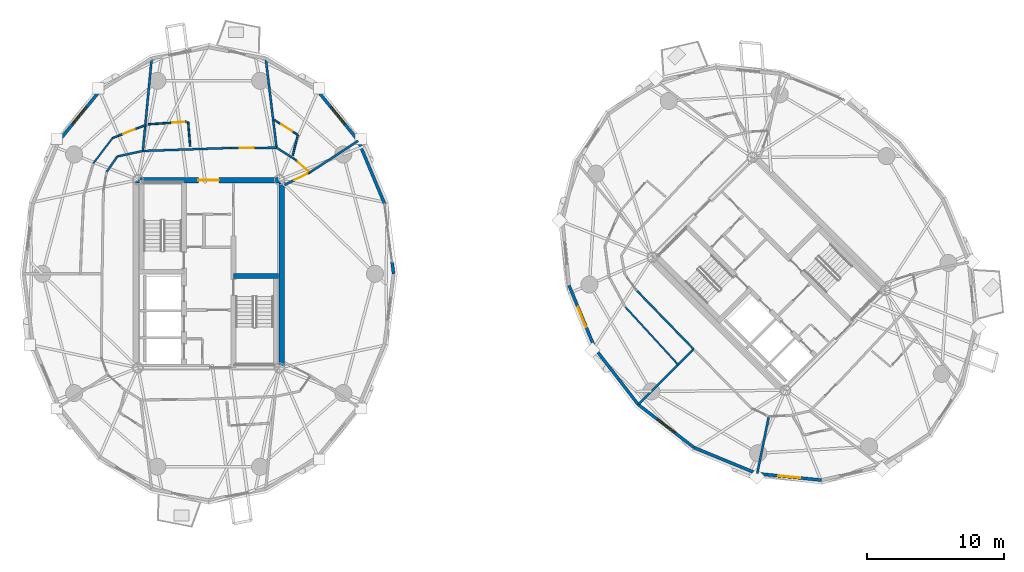
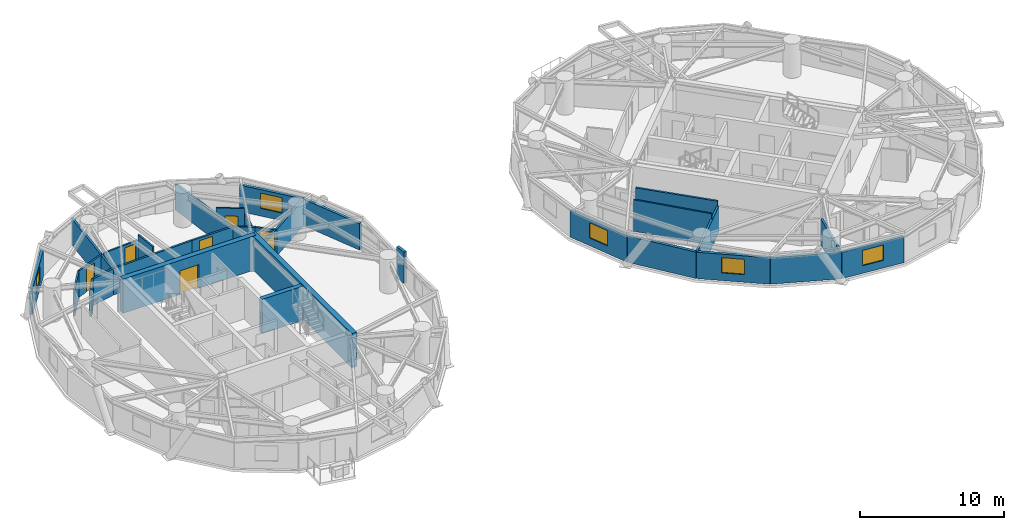
# One storey, part 12 of 19: 32 walls, 7 doors, 5 windows, 12 openings.
"""IFC4 building model written with IfcOpenShell, lengths in metres."""

from ifc_helpers import new_model, si_unit, direction, frame, frame_2d, origin, place, context, subcontext, project, spatial, rectangle, extrude, source, transform, mapped, material, layer, layer_set, type_object, element, fill, save


model = new_model("IFC4")

# Units and contexts
model_context = context("Model", 3, precision=1e-05, world=origin(), true_north=direction((0.0, 1.0)))
body_context = subcontext(model_context, "Body", "Model", "MODEL_VIEW")
ifc_project = project(units=[si_unit("LENGTHUNIT", "METRE"), si_unit("AREAUNIT", "SQUARE_METRE"), si_unit("VOLUMEUNIT", "CUBIC_METRE"), si_unit("PLANEANGLEUNIT", "RADIAN"), si_unit("MASSUNIT", "GRAM", prefix="KILO")], contexts=[model_context])

# Site, building, storey
site_placement = place(None, origin())
site = spatial("IfcSite", under=ifc_project, at=site_placement, CompositionType="ELEMENT")
building_placement = place(site_placement, origin())
building = spatial("IfcBuilding", under=site, at=building_placement, Name="Cununo Teusaquillo Station Towers", CompositionType="ELEMENT")
storey_placement = place(building_placement, frame((0.0, 0.0, 177.7900390625)))
storey = spatial("IfcBuildingStorey", under=building, at=storey_placement, Name="L56", CompositionType="ELEMENT", Elevation=177.7900390625)

# Walls
ifc_material_1 = material(Name="Concrete C50/60", Category="concrete")
ifc_layer_1 = layer(ifc_material_1, 0.35009765625)
ifc_layer_set_1 = layer_set([ifc_layer_1], Name="Concrete C50/60")
wall_type_1 = type_object("IfcWallType", Name="WL-CORE-350", PredefinedType="SHEAR", material=ifc_layer_set_1)
wall_1_placement = place(storey_placement, frame((18.31494140625, 24.344970703125, 0.0), z_axis=(0.0, 0.0, 1.0), x_axis=(1.0, 0.0, 0.0)))
element("IfcWall", 1, at=wall_1_placement, inside=storey, type_object=wall_type_1, Name="L56 Tower A Core Shear Wall ST2N", PredefinedType="SHEAR", context=body_context, shape_type="SweptSolid", body=[
    extrude(rectangle(XDim=3.28515625, YDim=0.35009765625, at=frame_2d((1.642578125, 0.0))), origin(), (0.0, 0.0, 1.0), 2.909912109375),
])
ifc_material_2 = material(Name="Concrete C50/60", Category="concrete")
ifc_layer_2 = layer(ifc_material_2, 0.39990234375)
ifc_layer_set_2 = layer_set([ifc_layer_2], Name="Concrete C50/60")
wall_type_2 = type_object("IfcWallType", Name="WL-CORE-400", PredefinedType="SHEAR", material=ifc_layer_set_2)
wall_2_placement = place(storey_placement, frame((21.85009765625, 17.449951171875, 0.0), z_axis=(0.0, 0.0, 1.0), x_axis=(0.0, 1.0, 0.0)))
element("IfcWall", 2, at=wall_2_placement, inside=storey, type_object=wall_type_2, Name="L56 Tower A Core Shear Wall E", PredefinedType="SHEAR", context=body_context, shape_type="SweptSolid", body=[
    extrude(rectangle(XDim=14.10009765625, YDim=0.39990234375, at=frame_2d((7.050048828125, 0.0))), origin(), (0.0, 0.0, 1.0), 2.909912109375),
])

# Wall, opening, door
wall_3_placement = place(storey_placement, frame((11.14990234375, 31.35009765625, 0.0), z_axis=(0.0, 0.0, 1.0), x_axis=(1.0, 0.0, 0.0)))
wall_3 = element("IfcWall", 3, at=wall_3_placement, inside=storey, type_object=wall_type_2, Name="L56 Tower A Core Shear Wall N", PredefinedType="SHEAR", context=body_context, shape_type="SweptSolid", body=[
    extrude(rectangle(XDim=10.7001953125, YDim=0.39990234375, at=frame_2d((5.35009765625, 0.0))), origin(), (0.0, 0.0, 1.0), 2.909912109375),
])
shared_shape_1 = source(origin(), body_context, "Body", "SweptSolid", [
    extrude(rectangle(XDim=1.5, YDim=2.02001953125, at=frame_2d((0.75, 1.010009765625))), frame((0.0, 0.2099609375, 0.0), z_axis=(0.0, -1.0, 0.0), x_axis=(1.0, 0.0, 0.0)), (0.0, 0.0, 1.0), 0.419921875),
])
opening_1_placement = place(wall_3_placement, frame((4.60009765625, 0.0, 0.0)))
opening_1 = element("IfcOpeningElement", 4, at=opening_1_placement, cuts=wall_3, Name="Opening D-LB1", PredefinedType="OPENING", context=body_context, shape_type="MappedRepresentation", body=[
    mapped(shared_shape_1, transform((0.0, 0.0, 0.0), x_axis=(1.0, 0.0, 0.0), y_axis=(0.0, 1.0, 0.0), z_axis=(0.0, 0.0, 1.0), scale=1.0)),
])
ifc_material_3 = material(Name="Galvanised fire-rated hollow steel door assembly", Category="steel")
door_type_1 = type_object("IfcDoorType", Name="DR-LOBBY-1500", OperationType="DOUBLE_DOOR_SINGLE_SWING", PredefinedType="DOOR", material=ifc_material_3)
shared_shape_2 = source(origin(), body_context, "Body", "SweptSolid", [
    extrude(rectangle(XDim=1.5, YDim=2.02001953125, at=frame_2d((0.75, 1.010009765625))), frame((0.0, 0.02490234375, 0.0), z_axis=(0.0, -1.0, 0.0), x_axis=(1.0, 0.0, 0.0)), (0.0, 0.0, 1.0), 0.050048828125),
])
door_1_placement = place(opening_1_placement, origin())
door_1 = element("IfcDoor", 5, at=door_1_placement, inside=storey, type_object=door_type_1, Name="L56 Tower A North Core Lift Lobby Door", OperationType="DOUBLE_DOOR_SINGLE_SWING", OverallHeight=2.02001953125, OverallWidth=1.5, PredefinedType="DOOR", context=body_context, shape_type="MappedRepresentation", body=[
    mapped(shared_shape_2, transform((0.0, 0.0, 0.0), x_axis=(1.0, 0.0, 0.0), y_axis=(0.0, 1.0, 0.0), z_axis=(0.0, 0.0, 1.0), scale=1.0)),
])
fill(opening_1, door_1)

# Walls
ifc_material_4 = material(Name="Precast concrete C40/50", Category="concrete")
ifc_layer_3 = layer(ifc_material_4, 0.219970703125)
ifc_layer_set_3 = layer_set([ifc_layer_3], Name="Precast concrete C40/50")
wall_type_3 = type_object("IfcWallType", Name="WL-EXT-220", PredefinedType="SOLIDWALL", material=ifc_layer_set_3)
wall_4_placement = place(storey_placement, frame((29.91943359375, 25.36279296875, 0.0), z_axis=(0.0, 0.0, 1.0), x_axis=(0.128247365719, -0.991742211054, 0.0)))
element("IfcWall", 6, at=wall_4_placement, inside=storey, type_object=wall_type_3, Name="L56 Tower A Column Pier Cladding Wall C00-PB", PredefinedType="SOLIDWALL", context=body_context, shape_type="SweptSolid", body=[
    extrude(rectangle(XDim=0.869873046875, YDim=0.219970703125, at=frame_2d((0.43505859375, 0.0))), origin(), (0.0, 0.0, 1.0), 2.675048828125),
])
wall_5_placement = place(storey_placement, frame((27.44677734375, 34.239501953125, 0.0), z_axis=(0.0, 0.0, 1.0), x_axis=(0.384144094086, -0.923273152961, 0.0)))
element("IfcWall", 7, at=wall_5_placement, inside=storey, type_object=wall_type_3, Name="L56 Tower A Exterior Facade Wall C01", PredefinedType="SOLIDWALL", context=body_context, shape_type="SweptSolid", body=[
    extrude(rectangle(XDim=5.0029296875, YDim=0.219970703125, at=frame_2d((2.50146484375, 0.0))), origin(), (0.0, 0.0, 1.0), 2.244873046875),
])

# Wall, opening, window
wall_6_placement = place(storey_placement, frame((24.453369140625, 37.905517578125, 0.0), z_axis=(0.0, 0.0, 1.0), x_axis=(0.632470615287, -0.774584353572, 0.0)))
wall_6 = element("IfcWall", 8, at=wall_6_placement, inside=storey, type_object=wall_type_3, Name="L56 Tower A Exterior Facade Wall C02", PredefinedType="SOLIDWALL", context=body_context, shape_type="SweptSolid", body=[
    extrude(rectangle(XDim=4.73291015625, YDim=0.219970703125, at=frame_2d((2.366455078125, 0.0))), origin(), (0.0, 0.0, 1.0), 2.244873046875),
])
shared_shape_3 = source(origin(), body_context, "Body", "SweptSolid", [
    extrude(rectangle(XDim=1.60009765625, YDim=1.300048828125, at=frame_2d((0.800048828125, 0.64990234375))), frame((0.0, 0.119873046875, 0.0), z_axis=(0.0, -1.0, 0.0), x_axis=(1.0, 0.0, 0.0)), (0.0, 0.0, 1.0), 0.239990234375),
])
opening_2_placement = place(wall_6_placement, frame((1.56591796875, 0.0, 0.64990234375)))
opening_2 = element("IfcOpeningElement", 9, at=opening_2_placement, cuts=wall_6, Name="Opening WN-03", PredefinedType="OPENING", context=body_context, shape_type="MappedRepresentation", body=[
    mapped(shared_shape_3, transform((0.0, 0.0, 0.0), x_axis=(1.0, 0.0, 0.0), y_axis=(0.0, 1.0, 0.0), z_axis=(0.0, 0.0, 1.0), scale=1.0)),
])
ifc_material_5 = material(Name="Ceramic-fritted dark low-E double glazing", Category="glass")
window_type = type_object("IfcWindowType", Name="WIN-CORN-1600", PartitioningType="SINGLE_PANEL", PredefinedType="WINDOW", material=ifc_material_5)
shared_shape_4 = source(origin(), body_context, "Body", "SweptSolid", [
    extrude(rectangle(XDim=1.60009765625, YDim=1.300048828125, at=frame_2d((0.800048828125, 0.64990234375))), frame((0.0, 0.030029296875, 0.0), z_axis=(0.0, -1.0, 0.0), x_axis=(1.0, 0.0, 0.0)), (0.0, 0.0, 1.0), 0.06005859375),
])
window_1_placement = place(opening_2_placement, origin())
window_1 = element("IfcWindow", 10, at=window_1_placement, inside=storey, type_object=window_type, Name="L56 Tower A Facade Window C02", OverallHeight=1.300048828125, OverallWidth=1.60009765625, PartitioningType="SINGLE_PANEL", PredefinedType="WINDOW", context=body_context, shape_type="MappedRepresentation", body=[
    mapped(shared_shape_4, transform((0.0, 0.0, 0.0), x_axis=(1.0, 0.0, 0.0), y_axis=(0.0, 1.0, 0.0), z_axis=(0.0, 0.0, 1.0), scale=1.0)),
])
fill(opening_2, window_1)

wall_7_placement = place(storey_placement, frame((5.55322265625, 34.239501953125, 0.0), z_axis=(0.0, 0.0, 1.0), x_axis=(0.632470615287, 0.774584353572, 0.0)))
wall_7 = element("IfcWall", 11, at=wall_7_placement, inside=storey, type_object=wall_type_3, Name="L56 Tower A Exterior Facade Wall C07", PredefinedType="SOLIDWALL", context=body_context, shape_type="SweptSolid", body=[
    extrude(rectangle(XDim=4.73291015625, YDim=0.219970703125, at=frame_2d((2.366455078125, 0.0))), origin(), (0.0, 0.0, 1.0), 2.244873046875),
])
opening_3_placement = place(wall_7_placement, frame((1.56591796875, 0.0, 0.64990234375)))
opening_3 = element("IfcOpeningElement", 12, at=opening_3_placement, cuts=wall_7, Name="Opening WN-03", PredefinedType="OPENING", context=body_context, shape_type="MappedRepresentation", body=[
    mapped(shared_shape_3, transform((0.0, 0.0, 0.0), x_axis=(1.0, 0.0, 0.0), y_axis=(0.0, 1.0, 0.0), z_axis=(0.0, 0.0, 1.0), scale=1.0)),
])
window_2_placement = place(opening_3_placement, origin())
window_2 = element("IfcWindow", 13, at=window_2_placement, inside=storey, type_object=window_type, Name="L56 Tower A Facade Window C07", OverallHeight=1.300048828125, OverallWidth=1.60009765625, PartitioningType="SINGLE_PANEL", PredefinedType="WINDOW", context=body_context, shape_type="MappedRepresentation", body=[
    mapped(shared_shape_4, transform((0.0, 0.0, 0.0), x_axis=(1.0, 0.0, 0.0), y_axis=(0.0, 1.0, 0.0), z_axis=(0.0, 0.0, 1.0), scale=1.0)),
])
fill(opening_3, window_2)

wall_8_placement = place(storey_placement, frame((44.77978515625, 19.02099609375, 0.0), z_axis=(0.0, 0.0, 1.0), x_axis=(-0.381196434348, 0.924494066201, 0.0)))
wall_8 = element("IfcWall", 14, at=wall_8_placement, inside=storey, type_object=wall_type_3, Name="L56 Tower B Exterior Facade Wall C08", PredefinedType="SOLIDWALL", context=body_context, shape_type="SweptSolid", body=[
    extrude(rectangle(XDim=5.003173828125, YDim=0.219970703125, at=frame_2d((2.50146484375, 0.0))), origin(), (0.0, 0.0, 1.0), 2.244873046875),
])
opening_4_placement = place(wall_8_placement, frame((1.701904296875, 0.0, 0.64990234375)))
opening_4 = element("IfcOpeningElement", 15, at=opening_4_placement, cuts=wall_8, Name="Opening WN-03", PredefinedType="OPENING", context=body_context, shape_type="MappedRepresentation", body=[
    mapped(shared_shape_3, transform((0.0, 0.0, 0.0), x_axis=(1.0, 0.0, 0.0), y_axis=(0.0, 1.0, 0.0), z_axis=(0.0, 0.0, 1.0), scale=1.0)),
])
window_3_placement = place(opening_4_placement, origin())
window_3 = element("IfcWindow", 16, at=window_3_placement, inside=storey, type_object=window_type, Name="L56 Tower B Facade Window C08", OverallHeight=1.300048828125, OverallWidth=1.60009765625, PartitioningType="SINGLE_PANEL", PredefinedType="WINDOW", context=body_context, shape_type="MappedRepresentation", body=[
    mapped(shared_shape_4, transform((0.0, 0.0, 0.0), x_axis=(1.0, 0.0, 0.0), y_axis=(0.0, 1.0, 0.0), z_axis=(0.0, 0.0, 1.0), scale=1.0)),
])
fill(opening_4, window_3)

# Wall
wall_9_placement = place(storey_placement, frame((47.93212890625, 14.93212890625, 0.0), z_axis=(0.0, 0.0, 1.0), x_axis=(-0.610569654715, 0.791962560189, 0.0)))
element("IfcWall", 17, at=wall_9_placement, inside=storey, type_object=wall_type_3, Name="L56 Tower B Exterior Facade Wall C09", PredefinedType="SOLIDWALL", context=body_context, shape_type="SweptSolid", body=[
    extrude(rectangle(XDim=5.162841796875, YDim=0.219970703125, at=frame_2d((2.58154296875, 0.0))), origin(), (0.0, 0.0, 1.0), 2.244873046875),
])

# Wall, opening, window
wall_10_placement = place(storey_placement, frame((52.02099609375, 11.77978515625, 0.0), z_axis=(0.0, 0.0, 1.0), x_axis=(-0.791962560189, 0.610569654715, 0.0)))
wall_10 = element("IfcWall", 18, at=wall_10_placement, inside=storey, type_object=wall_type_3, Name="L56 Tower B Exterior Facade Wall C10", PredefinedType="SOLIDWALL", context=body_context, shape_type="SweptSolid", body=[
    extrude(rectangle(XDim=5.162841796875, YDim=0.219970703125, at=frame_2d((2.58154296875, 0.0))), origin(), (0.0, 0.0, 1.0), 2.244873046875),
])
opening_5_placement = place(wall_10_placement, frame((1.781982421875, 0.0, 0.64990234375)))
opening_5 = element("IfcOpeningElement", 19, at=opening_5_placement, cuts=wall_10, Name="Opening WN-03", PredefinedType="OPENING", context=body_context, shape_type="MappedRepresentation", body=[
    mapped(shared_shape_3, transform((0.0, 0.0, 0.0), x_axis=(1.0, 0.0, 0.0), y_axis=(0.0, 1.0, 0.0), z_axis=(0.0, 0.0, 1.0), scale=1.0)),
])
window_4_placement = place(opening_5_placement, origin())
window_4 = element("IfcWindow", 20, at=window_4_placement, inside=storey, type_object=window_type, Name="L56 Tower B Facade Window C10", OverallHeight=1.300048828125, OverallWidth=1.60009765625, PartitioningType="SINGLE_PANEL", PredefinedType="WINDOW", context=body_context, shape_type="MappedRepresentation", body=[
    mapped(shared_shape_4, transform((0.0, 0.0, 0.0), x_axis=(1.0, 0.0, 0.0), y_axis=(0.0, 1.0, 0.0), z_axis=(0.0, 0.0, 1.0), scale=1.0)),
])
fill(opening_5, window_4)

# Wall
wall_11_placement = place(storey_placement, frame((56.646484375, 9.87255859375, 0.0), z_axis=(0.0, 0.0, 1.0), x_axis=(-0.924494066201, 0.381196434348, 0.0)))
element("IfcWall", 21, at=wall_11_placement, inside=storey, type_object=wall_type_3, Name="L56 Tower B Exterior Facade Wall C11", PredefinedType="SOLIDWALL", context=body_context, shape_type="SweptSolid", body=[
    extrude(rectangle(XDim=5.003173828125, YDim=0.219970703125, at=frame_2d((2.50146484375, 0.0))), origin(), (0.0, 0.0, 1.0), 2.244873046875),
])

# Wall, opening, window
wall_12_placement = place(storey_placement, frame((61.355224609375, 9.397216796875, 0.0), z_axis=(0.0, 0.0, 1.0), x_axis=(-0.994943283129, 0.100438356004, 0.0)))
wall_12 = element("IfcWall", 22, at=wall_12_placement, inside=storey, type_object=wall_type_3, Name="L56 Tower B Exterior Facade Wall C12", PredefinedType="SOLIDWALL", context=body_context, shape_type="SweptSolid", body=[
    extrude(rectangle(XDim=4.732666015625, YDim=0.219970703125, at=frame_2d((2.3662109375, 0.0))), origin(), (0.0, 0.0, 1.0), 2.244873046875),
])
opening_6_placement = place(wall_12_placement, frame((1.56591796875, 0.0, 0.64990234375)))
opening_6 = element("IfcOpeningElement", 23, at=opening_6_placement, cuts=wall_12, Name="Opening WN-03", PredefinedType="OPENING", context=body_context, shape_type="MappedRepresentation", body=[
    mapped(shared_shape_3, transform((0.0, 0.0, 0.0), x_axis=(1.0, 0.0, 0.0), y_axis=(0.0, 1.0, 0.0), z_axis=(0.0, 0.0, 1.0), scale=1.0)),
])
window_5_placement = place(opening_6_placement, origin())
window_5 = element("IfcWindow", 24, at=window_5_placement, inside=storey, type_object=window_type, Name="L56 Tower B Facade Window C12", OverallHeight=1.300048828125, OverallWidth=1.60009765625, PartitioningType="SINGLE_PANEL", PredefinedType="WINDOW", context=body_context, shape_type="MappedRepresentation", body=[
    mapped(shared_shape_4, transform((0.0, 0.0, 0.0), x_axis=(1.0, 0.0, 0.0), y_axis=(0.0, 1.0, 0.0), z_axis=(0.0, 0.0, 1.0), scale=1.0)),
])
fill(opening_6, window_5)

# Wall
ifc_material_6 = material(Name="Fire-rated gypsum plasterboard partition assembly", Category="gypsum")
ifc_layer_4 = layer(ifc_material_6, 0.125)
ifc_layer_set_4 = layer_set([ifc_layer_4], Name="Fire-rated gypsum plasterboard partition assembly")
wall_type_4 = type_object("IfcWallType", Name="WL-PART-125", PredefinedType="PARTITIONING", material=ifc_layer_set_4)
wall_13_placement = place(storey_placement, frame((22.6494140625, 33.1572265625, 0.0), z_axis=(0.0, 0.0, 1.0), x_axis=(0.242461964074, 0.970160912415, 0.0)))
element("IfcWall", 25, at=wall_13_placement, inside=storey, type_object=wall_type_4, Name="L56 Tower A S01 En-suite Side Wall", PredefinedType="PARTITIONING", context=body_context, shape_type="SweptSolid", body=[
    extrude(rectangle(XDim=1.559814453125, YDim=0.125, at=frame_2d((0.77978515625, 0.0))), origin(), (0.0, 0.0, 1.0), 2.244873046875),
])

# Wall, opening, door
wall_14_placement = place(storey_placement, frame((22.974853515625, 34.70361328125, 0.0), z_axis=(0.0, 0.0, 1.0), x_axis=(-0.84683355027, 0.531858005615, 0.0)))
wall_14 = element("IfcWall", 26, at=wall_14_placement, inside=storey, type_object=wall_type_4, Name="L56 Tower A S01 En-suite Back Wall", PredefinedType="PARTITIONING", context=body_context, shape_type="SweptSolid", body=[
    extrude(rectangle(XDim=1.99365234375, YDim=0.125, at=frame_2d((0.996826171875, 0.0))), origin(), (0.0, 0.0, 1.0), 2.675048828125),
])
shared_shape_5 = source(origin(), body_context, "Body", "SweptSolid", [
    extrude(rectangle(XDim=0.89990234375, YDim=2.0048828125, at=frame_2d((0.449951171875, 1.00244140625))), frame((0.0, 0.072509765625, 0.0), z_axis=(0.0, -1.0, 0.0), x_axis=(1.0, 0.0, 0.0)), (0.0, 0.0, 1.0), 0.14501953125),
])
opening_7_placement = place(wall_14_placement, frame((0.440185546875, 0.0, 0.0)))
opening_7 = element("IfcOpeningElement", 27, at=opening_7_placement, cuts=wall_14, Name="Opening D-IN1", PredefinedType="OPENING", context=body_context, shape_type="MappedRepresentation", body=[
    mapped(shared_shape_5, transform((0.0, 0.0, 0.0), x_axis=(1.0, 0.0, 0.0), y_axis=(0.0, 1.0, 0.0), z_axis=(0.0, 0.0, 1.0), scale=1.0)),
])
ifc_material_7 = material(Name="Acoustic solid-core hardwood leaf assembly", Category="wood")
door_type_2 = type_object("IfcDoorType", Name="DR-INT-900", OperationType="NOTDEFINED", PredefinedType="DOOR", material=ifc_material_7)
shared_shape_6 = source(origin(), body_context, "Body", "SweptSolid", [
    extrude(rectangle(XDim=0.89990234375, YDim=2.0048828125, at=frame_2d((0.449951171875, 1.00244140625))), frame((0.0, 0.02490234375, 0.0), z_axis=(0.0, -1.0, 0.0), x_axis=(1.0, 0.0, 0.0)), (0.0, 0.0, 1.0), 0.050048828125),
])
door_2_placement = place(opening_7_placement, origin())
door_2 = element("IfcDoor", 28, at=door_2_placement, inside=storey, type_object=door_type_2, Name="L56 Tower A S01 En-suite Bathroom Door", OperationType="SINGLE_SWING_RIGHT", OverallHeight=2.0048828125, OverallWidth=0.89990234375, PredefinedType="DOOR", context=body_context, shape_type="MappedRepresentation", body=[
    mapped(shared_shape_6, transform((0.0, 0.0, 0.0), x_axis=(1.0, 0.0, 0.0), y_axis=(0.0, 1.0, 0.0), z_axis=(0.0, 0.0, 1.0), scale=1.0)),
])
fill(opening_7, door_2)

# Wall
wall_15_placement = place(storey_placement, frame((15.14208984375, 33.8203125, 0.0), z_axis=(0.0, 0.0, 1.0), x_axis=(-0.081791493646, 0.996649462734, 0.0)))
element("IfcWall", 29, at=wall_15_placement, inside=storey, type_object=wall_type_4, Name="L56 Tower A S02 En-suite Side Wall", PredefinedType="PARTITIONING", context=body_context, shape_type="SweptSolid", body=[
    extrude(rectangle(XDim=1.82080078125, YDim=0.125, at=frame_2d((0.910400390625, 0.0))), origin(), (0.0, 0.0, 1.0), 2.675048828125),
])

# Wall, opening, door
wall_16_placement = place(storey_placement, frame((14.848388671875, 35.625244140625, 0.0), z_axis=(0.0, 0.0, 1.0), x_axis=(-0.997750908336, -0.067030775874, 0.0)))
wall_16 = element("IfcWall", 30, at=wall_16_placement, inside=storey, type_object=wall_type_4, Name="L56 Tower A S02 En-suite Back Wall", PredefinedType="PARTITIONING", context=body_context, shape_type="SweptSolid", body=[
    extrude(rectangle(XDim=2.786376953125, YDim=0.125, at=frame_2d((1.39306640625, 0.0))), origin(), (0.0, 0.0, 1.0), 2.244873046875),
])
opening_8_placement = place(wall_16_placement, frame((0.1201171875, 0.0, 0.0)))
opening_8 = element("IfcOpeningElement", 31, at=opening_8_placement, cuts=wall_16, Name="Opening D-IN1", PredefinedType="OPENING", context=body_context, shape_type="MappedRepresentation", body=[
    mapped(shared_shape_5, transform((0.0, 0.0, 0.0), x_axis=(1.0, 0.0, 0.0), y_axis=(0.0, 1.0, 0.0), z_axis=(0.0, 0.0, 1.0), scale=1.0)),
])
door_3_placement = place(opening_8_placement, origin())
door_3 = element("IfcDoor", 32, at=door_3_placement, inside=storey, type_object=door_type_2, Name="L56 Tower A S02 En-suite Bathroom Door", OperationType="SINGLE_SWING_RIGHT", OverallHeight=2.0048828125, OverallWidth=0.89990234375, PredefinedType="DOOR", context=body_context, shape_type="MappedRepresentation", body=[
    mapped(shared_shape_6, transform((0.0, 0.0, 0.0), x_axis=(1.0, 0.0, 0.0), y_axis=(0.0, 1.0, 0.0), z_axis=(0.0, 0.0, 1.0), scale=1.0)),
])
fill(opening_8, door_3)

wall_17_placement = place(storey_placement, frame((11.861328125, 35.379638671875, 0.0), z_axis=(0.0, 0.0, 1.0), x_axis=(-0.930124609977, -0.367244074037, 0.0)))
wall_17 = element("IfcWall", 33, at=wall_17_placement, inside=storey, type_object=wall_type_4, Name="L56 Tower A Hotel Tea & Cigar Conservatory Concentric Partition Wall C06", PredefinedType="PARTITIONING", context=body_context, shape_type="SweptSolid", body=[
    extrude(rectangle(XDim=2.580810546875, YDim=0.125, at=frame_2d((1.29052734375, 0.0))), origin(), (0.0, 0.0, 1.0), 2.244873046875),
])
opening_9_placement = place(wall_17_placement, frame((0.84033203125, 0.0, 0.0)))
opening_9 = element("IfcOpeningElement", 34, at=opening_9_placement, cuts=wall_17, Name="Opening D-IN1", PredefinedType="OPENING", context=body_context, shape_type="MappedRepresentation", body=[
    mapped(shared_shape_5, transform((0.0, 0.0, 0.0), x_axis=(1.0, 0.0, 0.0), y_axis=(0.0, 1.0, 0.0), z_axis=(0.0, 0.0, 1.0), scale=1.0)),
])
door_4_placement = place(opening_9_placement, origin())
door_4 = element("IfcDoor", 35, at=door_4_placement, inside=storey, type_object=door_type_2, Name="L56 Tower A Hotel Tea & Cigar Conservatory Connecting Door", OperationType="SINGLE_SWING_RIGHT", OverallHeight=2.0048828125, OverallWidth=0.89990234375, PredefinedType="DOOR", context=body_context, shape_type="MappedRepresentation", body=[
    mapped(shared_shape_6, transform((0.0, 0.0, 0.0), x_axis=(1.0, 0.0, 0.0), y_axis=(0.0, 1.0, 0.0), z_axis=(0.0, 0.0, 1.0), scale=1.0)),
])
fill(opening_9, door_4)

# Walls
wall_18_placement = place(storey_placement, frame((9.4609375, 34.431884765625, 0.0), z_axis=(0.0, 0.0, 1.0), x_axis=(-0.605297668278, -0.795999204005, 0.0)))
element("IfcWall", 36, at=wall_18_placement, inside=storey, type_object=wall_type_4, Name="L56 Tower A Hotel Tea & Cigar Conservatory Concentric Partition Wall C07", PredefinedType="PARTITIONING", context=body_context, shape_type="SweptSolid", body=[
    extrude(rectangle(XDim=2.3095703125, YDim=0.125, at=frame_2d((1.15478515625, 0.0))), origin(), (0.0, 0.0, 1.0), 2.244873046875),
])
wall_19_placement = place(storey_placement, frame((46.990966796875, 22.07080078125, 0.0), z_axis=(0.0, 0.0, 1.0), x_axis=(0.675455872419, -0.737400409828, 0.0)))
element("IfcWall", 37, at=wall_19_placement, inside=storey, type_object=wall_type_4, Name="L56 Tower B Hotel Tea & Cigar Conservatory Concentric Partition Wall C09", PredefinedType="PARTITIONING", context=body_context, shape_type="SweptSolid", body=[
    extrude(rectangle(XDim=5.71875, YDim=0.125, at=frame_2d((2.859375, 0.0))), origin(), (0.0, 0.0, 1.0), 2.675048828125),
])

# Wall, opening, door
ifc_material_8 = material(Name="Fire-rated gypsum plasterboard partition assembly", Category="gypsum")
ifc_layer_5 = layer(ifc_material_8, 0.14990234375)
ifc_layer_set_5 = layer_set([ifc_layer_5], Name="Fire-rated gypsum plasterboard partition assembly")
wall_type_5 = type_object("IfcWallType", Name="WL-PART-150", PredefinedType="PARTITIONING", material=ifc_layer_set_5)
wall_20_placement = place(storey_placement, frame((23.886962890625, 31.90625, 0.0), z_axis=(0.0, 0.0, 1.0), x_axis=(-0.744900957214, 0.66717506244, 0.0)))
wall_20 = element("IfcWall", 38, at=wall_20_placement, inside=storey, type_object=wall_type_5, Name="L56 Tower A Corridor Ring Wall C02", PredefinedType="PARTITIONING", context=body_context, shape_type="SweptSolid", body=[
    extrude(rectangle(XDim=1.463623046875, YDim=0.14990234375, at=frame_2d((0.73193359375, 0.0))), origin(), (0.0, 0.0, 1.0), 2.244873046875),
])
shared_shape_7 = source(origin(), body_context, "Body", "SweptSolid", [
    extrude(rectangle(XDim=1.050048828125, YDim=2.014892578125, at=frame_2d((0.52490234375, 1.00732421875))), frame((0.0, 0.0849609375, 0.0), z_axis=(0.0, -1.0, 0.0), x_axis=(1.0, 0.0, 0.0)), (0.0, 0.0, 1.0), 0.169921875),
])
opening_10_placement = place(wall_20_placement, frame((0.1201171875, 0.0, 0.0)))
opening_10 = element("IfcOpeningElement", 39, at=opening_10_placement, cuts=wall_20, Name="Opening D-SU1", PredefinedType="OPENING", context=body_context, shape_type="MappedRepresentation", body=[
    mapped(shared_shape_7, transform((0.0, 0.0, 0.0), x_axis=(1.0, 0.0, 0.0), y_axis=(0.0, 1.0, 0.0), z_axis=(0.0, 0.0, 1.0), scale=1.0)),
])
ifc_material_9 = material(Name="Acoustic solid-core hardwood leaf assembly", Category="wood")
door_type_3 = type_object("IfcDoorType", Name="DR-SUITE-1050", OperationType="NOTDEFINED", PredefinedType="DOOR", material=ifc_material_9)
shared_shape_8 = source(origin(), body_context, "Body", "SweptSolid", [
    extrude(rectangle(XDim=1.050048828125, YDim=2.014892578125, at=frame_2d((0.52490234375, 1.00732421875))), frame((0.0, 0.02490234375, 0.0), z_axis=(0.0, -1.0, 0.0), x_axis=(1.0, 0.0, 0.0)), (0.0, 0.0, 1.0), 0.050048828125),
])
door_5_placement = place(opening_10_placement, origin())
door_5 = element("IfcDoor", 40, at=door_5_placement, inside=storey, type_object=door_type_3, Name="L56 Tower A Summit Club Hotel Suite Entrance Door", OperationType="SINGLE_SWING_LEFT", OverallHeight=2.014892578125, OverallWidth=1.050048828125, PredefinedType="DOOR", context=body_context, shape_type="MappedRepresentation", body=[
    mapped(shared_shape_8, transform((0.0, 0.0, 0.0), x_axis=(1.0, 0.0, 0.0), y_axis=(0.0, 1.0, 0.0), z_axis=(0.0, 0.0, 1.0), scale=1.0)),
])
fill(opening_10, door_5)

# Wall
wall_21_placement = place(storey_placement, frame((22.796630859375, 32.8828125, 0.0), z_axis=(0.0, 0.0, 1.0), x_axis=(-0.84484009232, 0.535018895375, 0.0)))
element("IfcWall", 41, at=wall_21_placement, inside=storey, type_object=wall_type_5, Name="L56 Tower A Corridor Ring Wall C03", PredefinedType="PARTITIONING", context=body_context, shape_type="SweptSolid", body=[
    extrude(rectangle(XDim=1.5751953125, YDim=0.14990234375, at=frame_2d((0.78759765625, 0.0))), origin(), (0.0, 0.0, 1.0), 2.244873046875),
])

# Wall, opening, door
wall_22_placement = place(storey_placement, frame((21.4658203125, 33.7255859375, 0.0), z_axis=(0.0, 0.0, 1.0), x_axis=(-0.99998838579, -0.004819573058, 0.0)))
wall_22 = element("IfcWall", 42, at=wall_22_placement, inside=storey, type_object=wall_type_5, Name="L56 Tower A Corridor Ring Wall C04", PredefinedType="PARTITIONING", context=body_context, shape_type="SweptSolid", body=[
    extrude(rectangle(XDim=3.34326171875, YDim=0.14990234375, at=frame_2d((1.671630859375, 0.0))), origin(), (0.0, 0.0, 1.0), 2.244873046875),
])
opening_11_placement = place(wall_22_placement, frame((1.659912109375, 0.0, 0.0)))
opening_11 = element("IfcOpeningElement", 43, at=opening_11_placement, cuts=wall_22, Name="Opening D-SU1", PredefinedType="OPENING", context=body_context, shape_type="MappedRepresentation", body=[
    mapped(shared_shape_7, transform((0.0, 0.0, 0.0), x_axis=(1.0, 0.0, 0.0), y_axis=(0.0, 1.0, 0.0), z_axis=(0.0, 0.0, 1.0), scale=1.0)),
])
door_6_placement = place(opening_11_placement, origin())
door_6 = element("IfcDoor", 44, at=door_6_placement, inside=storey, type_object=door_type_3, Name="L56 Tower A Savanna View Hotel Suite Entrance Door", OperationType="SINGLE_SWING_LEFT", OverallHeight=2.014892578125, OverallWidth=1.050048828125, PredefinedType="DOOR", context=body_context, shape_type="MappedRepresentation", body=[
    mapped(shared_shape_8, transform((0.0, 0.0, 0.0), x_axis=(1.0, 0.0, 0.0), y_axis=(0.0, 1.0, 0.0), z_axis=(0.0, 0.0, 1.0), scale=1.0)),
])
fill(opening_11, door_6)

# Walls
wall_23_placement = place(storey_placement, frame((18.12255859375, 33.70947265625, 0.0), z_axis=(0.0, 0.0, 1.0), x_axis=(-0.999417459976, -0.034128297572, 0.0)))
element("IfcWall", 45, at=wall_23_placement, inside=storey, type_object=wall_type_5, Name="L56 Tower A Corridor Ring Wall C05", PredefinedType="PARTITIONING", context=body_context, shape_type="SweptSolid", body=[
    extrude(rectangle(XDim=6.4453125, YDim=0.14990234375, at=frame_2d((3.22265625, 0.0))), origin(), (0.0, 0.0, 1.0), 2.244873046875),
])
wall_24_placement = place(storey_placement, frame((11.680908203125, 33.489501953125, 0.0), z_axis=(0.0, 0.0, 1.0), x_axis=(-0.977628265995, -0.2103401377, 0.0)))
element("IfcWall", 46, at=wall_24_placement, inside=storey, type_object=wall_type_5, Name="L56 Tower A Corridor Ring Wall C06", PredefinedType="PARTITIONING", context=body_context, shape_type="SweptSolid", body=[
    extrude(rectangle(XDim=1.91162109375, YDim=0.14990234375, at=frame_2d((0.955810546875, 0.0))), origin(), (0.0, 0.0, 1.0), 2.244873046875),
])
wall_25_placement = place(storey_placement, frame((9.81201171875, 33.08740234375, 0.0), z_axis=(0.0, 0.0, 1.0), x_axis=(-0.567811958729, -0.823158295545, 0.0)))
element("IfcWall", 47, at=wall_25_placement, inside=storey, type_object=wall_type_5, Name="L56 Tower A Corridor Ring Wall C07", PredefinedType="PARTITIONING", context=body_context, shape_type="SweptSolid", body=[
    extrude(rectangle(XDim=1.3720703125, YDim=0.14990234375, at=frame_2d((0.68603515625, 0.0))), origin(), (0.0, 0.0, 1.0), 2.244873046875),
])
wall_26_placement = place(storey_placement, frame((47.843994140625, 23.25341796875, 0.0), z_axis=(0.0, 0.0, 1.0), x_axis=(0.696248411352, -0.717800912293, 0.0)))
element("IfcWall", 48, at=wall_26_placement, inside=storey, type_object=wall_type_5, Name="L56 Tower B Corridor Ring Wall C09", PredefinedType="PARTITIONING", context=body_context, shape_type="SweptSolid", body=[
    extrude(rectangle(XDim=5.947021484375, YDim=0.14990234375, at=frame_2d((2.9736328125, 0.0))), origin(), (0.0, 0.0, 1.0), 2.675048828125),
])
ifc_material_10 = material(Name="Fire-rated gypsum plasterboard partition assembly", Category="gypsum")
ifc_layer_6 = layer(ifc_material_10, 0.159912109375)
ifc_layer_set_6 = layer_set([ifc_layer_6], Name="Fire-rated gypsum plasterboard partition assembly")
wall_type_6 = type_object("IfcWallType", Name="WL-PART-160", PredefinedType="PARTITIONING", material=ifc_layer_set_6)
wall_27_placement = place(storey_placement, frame((23.886962890625, 31.90625, 0.0), z_axis=(0.0, 0.0, 1.0), x_axis=(0.836482991446, 0.547992887748, 0.0)))
element("IfcWall", 49, at=wall_27_placement, inside=storey, type_object=wall_type_6, Name="L56 Tower A Radial Suite Partition R01", PredefinedType="PARTITIONING", context=body_context, shape_type="SweptSolid", body=[
    extrude(rectangle(XDim=4.236328125, YDim=0.159912109375, at=frame_2d((2.1181640625, 0.0))), origin(), (0.0, 0.0, 1.0), 2.244873046875),
])
wall_28_placement = place(storey_placement, frame((21.4658203125, 33.7255859375, 0.0), z_axis=(0.0, 0.0, 1.0), x_axis=(-0.12050358126, 0.992712892484, 0.0)))
element("IfcWall", 50, at=wall_28_placement, inside=storey, type_object=wall_type_6, Name="L56 Tower A Radial Suite Partition R02", PredefinedType="PARTITIONING", context=body_context, shape_type="SweptSolid", body=[
    extrude(rectangle(XDim=6.562255859375, YDim=0.159912109375, at=frame_2d((3.28125, 0.0))), origin(), (0.0, 0.0, 1.0), 2.244873046875),
])
wall_29_placement = place(storey_placement, frame((11.680908203125, 33.489501953125, 0.0), z_axis=(0.0, 0.0, 1.0), x_axis=(0.094975594504, 0.995479601222, 0.0)))
element("IfcWall", 51, at=wall_29_placement, inside=storey, type_object=wall_type_6, Name="L56 Tower A Radial Suite Partition R03", PredefinedType="PARTITIONING", context=body_context, shape_type="SweptSolid", body=[
    extrude(rectangle(XDim=6.78125, YDim=0.159912109375, at=frame_2d((3.390625, 0.0))), origin(), (0.0, 0.0, 1.0), 2.244873046875),
])

# Wall, opening, door
wall_30_placement = place(storey_placement, frame((22.050048828125, 31.0, 0.0), z_axis=(0.0, 0.0, 1.0), x_axis=(0.896798317999, 0.442439574218, 0.0)))
wall_30 = element("IfcWall", 52, at=wall_30_placement, inside=storey, type_object=wall_type_6, Name="L56 Tower A East Salon Corridor Portal Wall NE", PredefinedType="PARTITIONING", context=body_context, shape_type="SweptSolid", body=[
    extrude(rectangle(XDim=2.04833984375, YDim=0.159912109375, at=frame_2d((1.024169921875, 0.0))), origin(), (0.0, 0.0, 1.0), 2.244873046875),
])
shared_shape_9 = source(origin(), body_context, "Body", "SweptSolid", [
    extrude(rectangle(XDim=1.050048828125, YDim=2.014892578125, at=frame_2d((0.52490234375, 1.00732421875))), frame((0.0, 0.08984375, 0.0), z_axis=(0.0, -1.0, 0.0), x_axis=(1.0, 0.0, 0.0)), (0.0, 0.0, 1.0), 0.179931640625),
])
opening_12_placement = place(wall_30_placement, frame((0.79833984375, 0.0, 0.0)))
opening_12 = element("IfcOpeningElement", 53, at=opening_12_placement, cuts=wall_30, Name="Opening D-SU1", PredefinedType="OPENING", context=body_context, shape_type="MappedRepresentation", body=[
    mapped(shared_shape_9, transform((0.0, 0.0, 0.0), x_axis=(1.0, 0.0, 0.0), y_axis=(0.0, 1.0, 0.0), z_axis=(0.0, 0.0, 1.0), scale=1.0)),
])
door_7_placement = place(opening_12_placement, origin())
door_7 = element("IfcDoor", 54, at=door_7_placement, inside=storey, type_object=door_type_3, Name="L56 Tower A East Panorama Sky Salon Door NE", OperationType="SINGLE_SWING_LEFT", OverallHeight=2.014892578125, OverallWidth=1.050048828125, PredefinedType="DOOR", context=body_context, shape_type="MappedRepresentation", body=[
    mapped(shared_shape_8, transform((0.0, 0.0, 0.0), x_axis=(1.0, 0.0, 0.0), y_axis=(0.0, 1.0, 0.0), z_axis=(0.0, 0.0, 1.0), scale=1.0)),
])
fill(opening_12, door_7)

# Walls
wall_31_placement = place(storey_placement, frame((51.984619140625, 18.984619140625, 0.0), z_axis=(0.0, 0.0, 1.0), x_axis=(-0.707106781187, -0.707106781187, 0.0)))
element("IfcWall", 55, at=wall_31_placement, inside=storey, type_object=wall_type_6, Name="L56 Tower B Radial Suite Partition R04", PredefinedType="PARTITIONING", context=body_context, shape_type="SweptSolid", body=[
    extrude(rectangle(XDim=5.711181640625, YDim=0.159912109375, at=frame_2d((2.85546875, 0.0))), origin(), (0.0, 0.0, 1.0), 2.244873046875),
])
wall_32_placement = place(storey_placement, frame((57.491943359375, 14.047607421875, 0.0), z_axis=(0.0, 0.0, 1.0), x_axis=(-0.198717737532, -0.980056764065, 0.0)))
element("IfcWall", 56, at=wall_32_placement, inside=storey, type_object=wall_type_6, Name="L56 Tower B Radial Suite Partition R05", PredefinedType="PARTITIONING", context=body_context, shape_type="SweptSolid", body=[
    extrude(rectangle(XDim=4.23974609375, YDim=0.159912109375, at=frame_2d((2.119873046875, 0.0))), origin(), (0.0, 0.0, 1.0), 2.244873046875),
])

save(model, "model.ifc")
